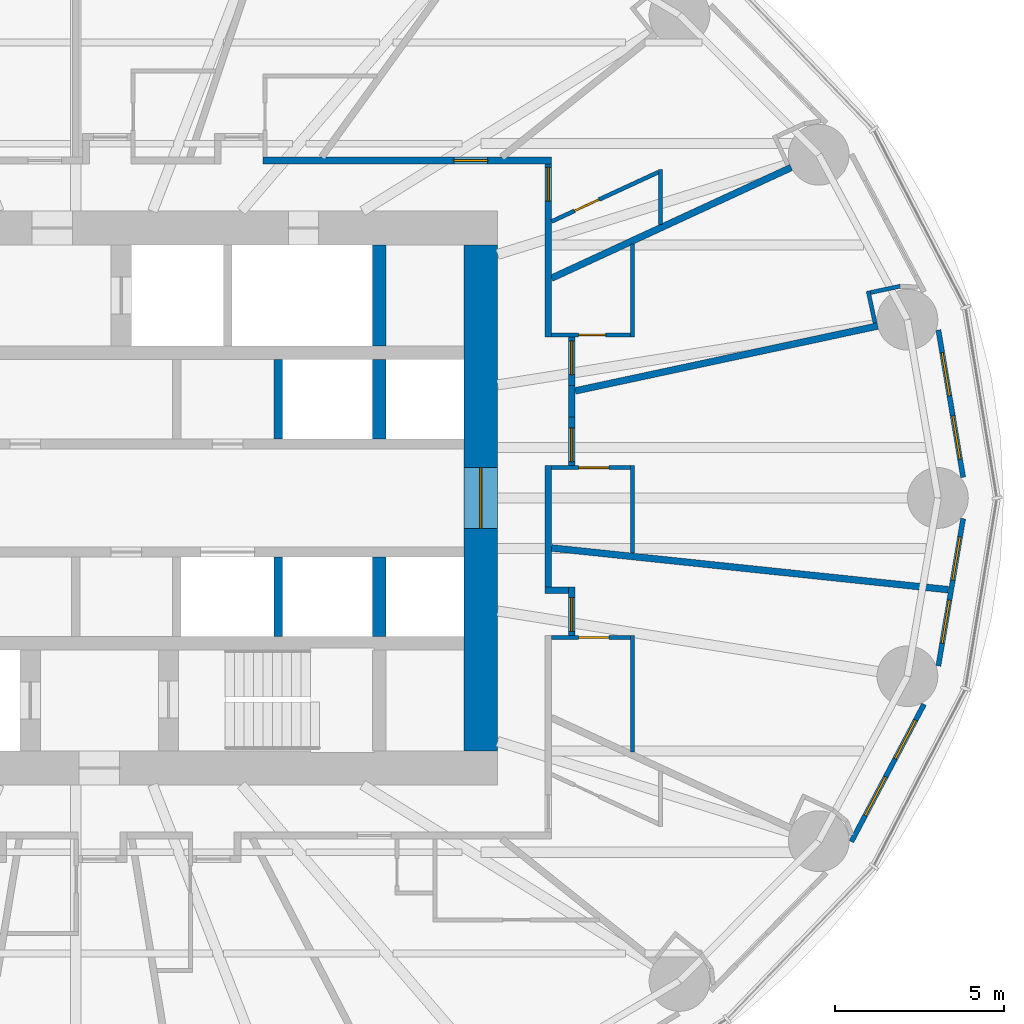
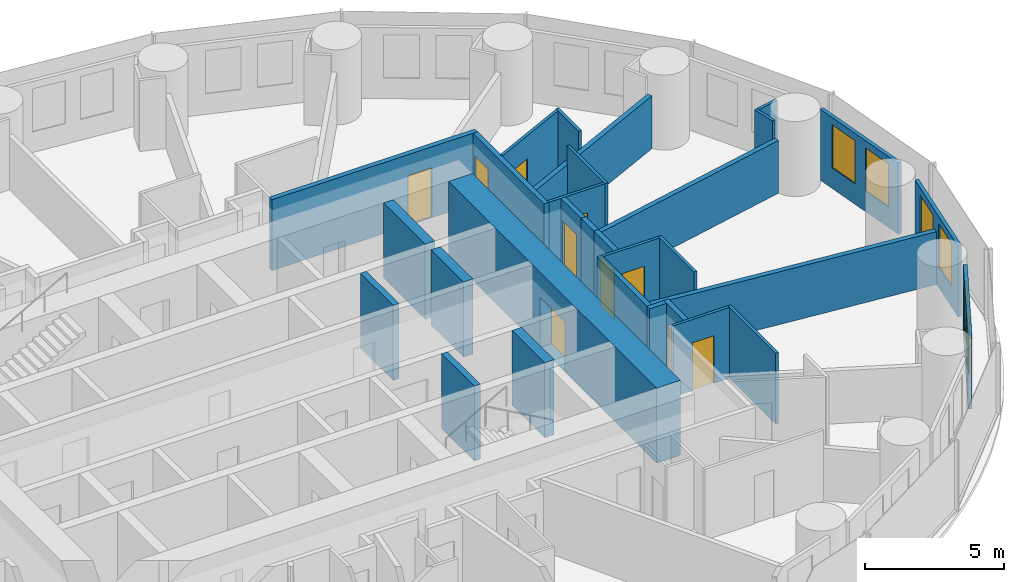
# One storey, part 10 of 14: 30 walls, 10 doors, 6 windows, 16 openings.
"""IFC4 building model written with IfcOpenShell, lengths in metres."""

from ifc_helpers import new_model, si_unit, direction, frame, frame_2d, origin, place, context, subcontext, project, spatial, rectangle, extrude, material, layer, layer_set, type_object, element, fill, save


model = new_model("IFC4")

# Units and contexts
model_context = context("Model", 3, precision=1e-05, world=origin(), true_north=direction((0.0, 1.0)))
body_context = subcontext(model_context, "Body", "Model", "MODEL_VIEW")
ifc_project = project(units=[si_unit("LENGTHUNIT", "METRE"), si_unit("AREAUNIT", "SQUARE_METRE"), si_unit("VOLUMEUNIT", "CUBIC_METRE"), si_unit("PLANEANGLEUNIT", "RADIAN"), si_unit("MASSUNIT", "GRAM", prefix="KILO")], contexts=[model_context])

# Site, building, storey
site_placement = place(None, origin())
site = spatial("IfcSite", under=ifc_project, at=site_placement, CompositionType="ELEMENT")
building_placement = place(site_placement, origin())
building = spatial("IfcBuilding", under=site, at=building_placement, Name="Hankou Lantern Tower", CompositionType="ELEMENT")
storey_placement = place(building_placement, frame((0.0, 0.0, 36.0)))
storey = spatial("IfcBuildingStorey", under=building, at=storey_placement, Name="L07", CompositionType="ELEMENT", Elevation=36.0)

# Wall, opening, door
ifc_material_1 = material(Name="Concrete C60", Category="concrete")
ifc_layer_1 = layer(ifc_material_1, 1.0)
ifc_layer_set_1 = layer_set([ifc_layer_1], Name="Concrete C60")
wall_type_1 = type_object("IfcWallType", Name="CW1 CORE WALL 1000", PredefinedType="SHEAR", material=ifc_layer_set_1)
wall_1_placement = place(storey_placement, frame((12.0, -7.5, 0.0), z_axis=(0.0, 0.0, 1.0), x_axis=(0.0, 1.0, 0.0)))
wall_1 = element("IfcWall", 1, at=wall_1_placement, inside=storey, type_object=wall_type_1, Name="Core wall east L07", PredefinedType="SHEAR", context=body_context, shape_type="SweptSolid", body=[
    extrude(rectangle(XDim=15.0, YDim=1.0, at=frame_2d((7.5, 0.0))), origin(), (0.0, 0.0, 1.0), 3.300048828125),
])
opening_1_placement = place(wall_1_placement, frame((6.60009765625, 0.0, 0.0)))
opening_1 = element("IfcOpeningElement", 2, at=opening_1_placement, cuts=wall_1, Name="Opening D6", PredefinedType="OPENING", context=body_context, shape_type="SweptSolid", body=[
    extrude(rectangle(XDim=1.800048828125, YDim=2.199951171875, at=frame_2d((0.89990234375, 1.10009765625))), frame((0.0, 0.510009765625, 0.0), z_axis=(0.0, -1.0, 0.0), x_axis=(1.0, 0.0, 0.0)), (0.0, 0.0, 1.0), 1.02001953125),
])
ifc_material_2 = material(Name="Steel door leaf", Category="steel")
door_type_1 = type_object("IfcDoorType", Name="D6 LIFT LOBBY DOOR 1800X2200", OperationType="DOUBLE_DOOR_DOUBLE_SWING", PredefinedType="DOOR", material=ifc_material_2)
door_1_placement = place(opening_1_placement, origin())
door_1 = element("IfcDoor", 3, at=door_1_placement, inside=storey, type_object=door_type_1, Name="Lift lobby east door", OperationType="DOUBLE_DOOR_DOUBLE_SWING", OverallHeight=2.199951171875, OverallWidth=1.800048828125, PredefinedType="DOOR", context=body_context, shape_type="SweptSolid", body=[
    extrude(rectangle(XDim=1.800048828125, YDim=2.199951171875, at=frame_2d((0.89990234375, 1.10009765625))), frame((0.0, 0.02490234375, 0.0), z_axis=(0.0, -1.0, 0.0), x_axis=(1.0, 0.0, 0.0)), (0.0, 0.0, 1.0), 0.050048828125),
])
fill(opening_1, door_1)

# Walls
ifc_material_3 = material(Name="Concrete C60", Category="concrete")
ifc_layer_2 = layer(ifc_material_3, 0.39990234375)
ifc_layer_set_2 = layer_set([ifc_layer_2], Name="Concrete C60")
wall_type_2 = type_object("IfcWallType", Name="CW4 CORE CROSS WALL 400", PredefinedType="SHEAR", material=ifc_layer_set_2)
wall_2_placement = place(storey_placement, frame((9.0, 4.5, 0.0), z_axis=(0.0, 0.0, 1.0), x_axis=(0.0, 1.0, 0.0)))
element("IfcWall", 4, at=wall_2_placement, inside=storey, type_object=wall_type_2, Name="Core strip wall L07", PredefinedType="SHEAR", context=body_context, shape_type="SweptSolid", body=[
    extrude(rectangle(XDim=3.0, YDim=0.39990234375, at=frame_2d((1.5, 0.0))), origin(), (0.0, 0.0, 1.0), 3.300048828125),
])
for number, where, z_axis, x_axis, name in (
    (5, (9.0, 1.75, 0.0), (0.0, 0.0, 1.0), (0.0, 1.0, 0.0), "Core strip wall L07"),
    (6, (9.0, -4.10009765625, 0.0), (0.0, 0.0, 1.0), (0.0, 1.0, 0.0), "Core strip wall L07"),
):
    element("IfcWall", number, at=place(storey_placement, frame(where, z_axis=z_axis, x_axis=x_axis)), inside=storey, type_object=wall_type_2, Name=name, PredefinedType="SHEAR", context=body_context, shape_type="SweptSolid", body=[
        extrude(rectangle(XDim=2.35009765625, YDim=0.39990234375, at=frame_2d((1.175048828125, 0.0))), origin(), (0.0, 0.0, 1.0), 3.300048828125),
    ])

# Wall, openings, windows
ifc_material_4 = material(Name="Aluminium spandrel panel on steel studs", Category="steel")
ifc_layer_3 = layer(ifc_material_4, 0.14990234375)
ifc_layer_set_3 = layer_set([ifc_layer_3], Name="Aluminium spandrel panel on steel studs")
wall_type_3 = type_object("IfcWallType", Name="EW1 INNER SKIN WALL 150", PredefinedType="ELEMENTEDWALL", material=ifc_layer_set_3)
wall_3_placement = place(storey_placement, frame((26.29736328125, 0.611083984375, 0.0), z_axis=(0.0, 0.0, 1.0), x_axis=(-0.165641751141, 0.986185991727, 0.0)))
wall_3 = element("IfcWall", 7, at=wall_3_placement, inside=storey, type_object=wall_type_3, Name="Inner skin R01-R02 L07", PredefinedType="ELEMENTEDWALL", context=body_context, shape_type="SweptSolid", body=[
    extrude(rectangle(XDim=4.427734375, YDim=0.14990234375, at=frame_2d((2.2138671875, 0.0))), origin(), (0.0, 0.0, 1.0), 3.1201171875),
])
opening_2_placement = place(wall_3_placement, frame((0.5498046875, 0.0, 0.89990234375)))
opening_2 = element("IfcOpeningElement", 8, at=opening_2_placement, cuts=wall_3, Name="Opening W9", PredefinedType="OPENING", context=body_context, shape_type="SweptSolid", body=[
    extrude(rectangle(XDim=1.300048828125, YDim=1.89990234375, at=frame_2d((0.64990234375, 0.949951171875))), frame((0.0, 0.0849609375, 0.0), z_axis=(0.0, -1.0, 0.0), x_axis=(1.0, 0.0, 0.0)), (0.0, 0.0, 1.0), 0.169921875),
])
opening_3_placement = place(wall_3_placement, frame((2.44970703125, 0.0, 0.89990234375)))
opening_3 = element("IfcOpeningElement", 9, at=opening_3_placement, cuts=wall_3, Name="Opening W9", PredefinedType="OPENING", context=body_context, shape_type="SweptSolid", body=[
    extrude(rectangle(XDim=1.300048828125, YDim=1.89990234375, at=frame_2d((0.64990234375, 0.949951171875))), frame((0.0, 0.0849609375, 0.0), z_axis=(0.0, -1.0, 0.0), x_axis=(1.0, 0.0, 0.0)), (0.0, 0.0, 1.0), 0.169921875),
])
ifc_material_5 = material(Name="Aluminium framed double glazed window", Category="aluminium")
window_type = type_object("IfcWindowType", Name="W9 GUEST ROOM WINDOW 1300X1900", PartitioningType="DOUBLE_PANEL_VERTICAL", PredefinedType="WINDOW", material=ifc_material_5)
window_1_placement = place(opening_2_placement, origin())
window_1 = element("IfcWindow", 10, at=window_1_placement, inside=storey, type_object=window_type, Name="Window R01.1 L07", OverallHeight=1.89990234375, OverallWidth=1.300048828125, PartitioningType="SINGLE_PANEL", PredefinedType="WINDOW", context=body_context, shape_type="SweptSolid", body=[
    extrude(rectangle(XDim=1.300048828125, YDim=1.89990234375, at=frame_2d((0.64990234375, 0.949951171875))), frame((0.0, 0.030029296875, 0.0), z_axis=(0.0, -1.0, 0.0), x_axis=(1.0, 0.0, 0.0)), (0.0, 0.0, 1.0), 0.06005859375),
])
fill(opening_2, window_1)
window_2_placement = place(opening_3_placement, origin())
window_2 = element("IfcWindow", 11, at=window_2_placement, inside=storey, type_object=window_type, Name="Window R01.2 L07", OverallHeight=1.89990234375, OverallWidth=1.300048828125, PartitioningType="SINGLE_PANEL", PredefinedType="WINDOW", context=body_context, shape_type="SweptSolid", body=[
    extrude(rectangle(XDim=1.300048828125, YDim=1.89990234375, at=frame_2d((0.64990234375, 0.949951171875))), frame((0.0, 0.030029296875, 0.0), z_axis=(0.0, -1.0, 0.0), x_axis=(1.0, 0.0, 0.0)), (0.0, 0.0, 1.0), 0.06005859375),
])
fill(opening_3, window_2)

wall_4_placement = place(storey_placement, frame((22.986083984375, -10.185302734375, 0.0), z_axis=(0.0, 0.0, 1.0), x_axis=(0.467303182954, 0.884097129959, 0.0)))
wall_4 = element("IfcWall", 12, at=wall_4_placement, inside=storey, type_object=wall_type_3, Name="Inner skin R23-R24 L07", PredefinedType="ELEMENTEDWALL", context=body_context, shape_type="SweptSolid", body=[
    extrude(rectangle(XDim=4.6064453125, YDim=0.14990234375, at=frame_2d((2.30322265625, 0.0))), origin(), (0.0, 0.0, 1.0), 3.1201171875),
])
opening_4_placement = place(wall_4_placement, frame((0.874755859375, 0.0, 0.89990234375)))
opening_4 = element("IfcOpeningElement", 13, at=opening_4_placement, cuts=wall_4, Name="Opening W9", PredefinedType="OPENING", context=body_context, shape_type="SweptSolid", body=[
    extrude(rectangle(XDim=1.300048828125, YDim=1.89990234375, at=frame_2d((0.64990234375, 0.949951171875))), frame((0.0, 0.0849609375, 0.0), z_axis=(0.0, -1.0, 0.0), x_axis=(1.0, 0.0, 0.0)), (0.0, 0.0, 1.0), 0.169921875),
])
opening_5_placement = place(wall_4_placement, frame((2.77490234375, 0.0, 0.89990234375)))
opening_5 = element("IfcOpeningElement", 14, at=opening_5_placement, cuts=wall_4, Name="Opening W9", PredefinedType="OPENING", context=body_context, shape_type="SweptSolid", body=[
    extrude(rectangle(XDim=1.300048828125, YDim=1.89990234375, at=frame_2d((0.64990234375, 0.949951171875))), frame((0.0, 0.0849609375, 0.0), z_axis=(0.0, -1.0, 0.0), x_axis=(1.0, 0.0, 0.0)), (0.0, 0.0, 1.0), 0.169921875),
])
window_3_placement = place(opening_4_placement, origin())
window_3 = element("IfcWindow", 15, at=window_3_placement, inside=storey, type_object=window_type, Name="Window R23.1 L07", OverallHeight=1.89990234375, OverallWidth=1.300048828125, PartitioningType="SINGLE_PANEL", PredefinedType="WINDOW", context=body_context, shape_type="SweptSolid", body=[
    extrude(rectangle(XDim=1.300048828125, YDim=1.89990234375, at=frame_2d((0.64990234375, 0.949951171875))), frame((0.0, 0.030029296875, 0.0), z_axis=(0.0, -1.0, 0.0), x_axis=(1.0, 0.0, 0.0)), (0.0, 0.0, 1.0), 0.06005859375),
])
fill(opening_4, window_3)
window_4_placement = place(opening_5_placement, origin())
window_4 = element("IfcWindow", 16, at=window_4_placement, inside=storey, type_object=window_type, Name="Window R23.2 L07", OverallHeight=1.89990234375, OverallWidth=1.300048828125, PartitioningType="SINGLE_PANEL", PredefinedType="WINDOW", context=body_context, shape_type="SweptSolid", body=[
    extrude(rectangle(XDim=1.300048828125, YDim=1.89990234375, at=frame_2d((0.64990234375, 0.949951171875))), frame((0.0, 0.030029296875, 0.0), z_axis=(0.0, -1.0, 0.0), x_axis=(1.0, 0.0, 0.0)), (0.0, 0.0, 1.0), 0.06005859375),
])
fill(opening_5, window_4)

wall_5_placement = place(storey_placement, frame((25.56396484375, -4.9775390625, 0.0), z_axis=(0.0, 0.0, 1.0), x_axis=(0.165641751141, 0.986185991727, 0.0)))
wall_5 = element("IfcWall", 17, at=wall_5_placement, inside=storey, type_object=wall_type_3, Name="Inner skin R24-R01 L07", PredefinedType="ELEMENTEDWALL", context=body_context, shape_type="SweptSolid", body=[
    extrude(rectangle(XDim=4.427734375, YDim=0.14990234375, at=frame_2d((2.2138671875, 0.0))), origin(), (0.0, 0.0, 1.0), 3.1201171875),
])
opening_6_placement = place(wall_5_placement, frame((0.677734375, 0.0, 0.89990234375)))
opening_6 = element("IfcOpeningElement", 18, at=opening_6_placement, cuts=wall_5, Name="Opening W9", PredefinedType="OPENING", context=body_context, shape_type="SweptSolid", body=[
    extrude(rectangle(XDim=1.300048828125, YDim=1.89990234375, at=frame_2d((0.64990234375, 0.949951171875))), frame((0.0, 0.0849609375, 0.0), z_axis=(0.0, -1.0, 0.0), x_axis=(1.0, 0.0, 0.0)), (0.0, 0.0, 1.0), 0.169921875),
])
opening_7_placement = place(wall_5_placement, frame((2.57763671875, 0.0, 0.89990234375)))
opening_7 = element("IfcOpeningElement", 19, at=opening_7_placement, cuts=wall_5, Name="Opening W9", PredefinedType="OPENING", context=body_context, shape_type="SweptSolid", body=[
    extrude(rectangle(XDim=1.300048828125, YDim=1.89990234375, at=frame_2d((0.64990234375, 0.949951171875))), frame((0.0, 0.0849609375, 0.0), z_axis=(0.0, -1.0, 0.0), x_axis=(1.0, 0.0, 0.0)), (0.0, 0.0, 1.0), 0.169921875),
])
window_5_placement = place(opening_6_placement, origin())
window_5 = element("IfcWindow", 20, at=window_5_placement, inside=storey, type_object=window_type, Name="Window R24.1 L07", OverallHeight=1.89990234375, OverallWidth=1.300048828125, PartitioningType="SINGLE_PANEL", PredefinedType="WINDOW", context=body_context, shape_type="SweptSolid", body=[
    extrude(rectangle(XDim=1.300048828125, YDim=1.89990234375, at=frame_2d((0.64990234375, 0.949951171875))), frame((0.0, 0.030029296875, 0.0), z_axis=(0.0, -1.0, 0.0), x_axis=(1.0, 0.0, 0.0)), (0.0, 0.0, 1.0), 0.06005859375),
])
fill(opening_6, window_5)
window_6_placement = place(opening_7_placement, origin())
window_6 = element("IfcWindow", 21, at=window_6_placement, inside=storey, type_object=window_type, Name="Window R24.2 L07", OverallHeight=1.89990234375, OverallWidth=1.300048828125, PartitioningType="SINGLE_PANEL", PredefinedType="WINDOW", context=body_context, shape_type="SweptSolid", body=[
    extrude(rectangle(XDim=1.300048828125, YDim=1.89990234375, at=frame_2d((0.64990234375, 0.949951171875))), frame((0.0, 0.030029296875, 0.0), z_axis=(0.0, -1.0, 0.0), x_axis=(1.0, 0.0, 0.0)), (0.0, 0.0, 1.0), 0.06005859375),
])
fill(opening_7, window_6)

# Walls
ifc_material_6 = material(Name="Masonry lightweight concrete block", Category="masonry")
ifc_layer_4 = layer(ifc_material_6, 0.199951171875)
ifc_layer_set_4 = layer_set([ifc_layer_4], Name="Masonry lightweight concrete block")
wall_type_4 = type_object("IfcWallType", Name="IW1 GUEST ROOM PARTY WALL 200", PredefinedType="PARTITIONING", material=ifc_layer_set_4)
wall_6_placement = place(storey_placement, frame((14.800048828125, 3.172607421875, 0.0), z_axis=(0.0, 0.0, 1.0), x_axis=(0.977788776497, 0.209592720667, 0.0)))
element("IfcWall", 22, at=wall_6_placement, inside=storey, type_object=wall_type_4, Name="Party wall R02", PredefinedType="PARTITIONING", context=body_context, shape_type="SweptSolid", body=[
    extrude(rectangle(XDim=9.170654296875, YDim=0.199951171875, at=frame_2d((4.58544921875, 0.0))), origin(), (0.0, 0.0, 1.0), 2.320068359375),
])
wall_7_placement = place(storey_placement, frame((14.10009765625, 6.512451171875, 0.0), z_axis=(0.0, 0.0, 1.0), x_axis=(0.907842433118, 0.41931147925, 0.0)))
element("IfcWall", 23, at=wall_7_placement, inside=storey, type_object=wall_type_4, Name="Party wall R03", PredefinedType="PARTITIONING", context=body_context, shape_type="SweptSolid", body=[
    extrude(rectangle(XDim=7.822998046875, YDim=0.199951171875, at=frame_2d((3.91162109375, 0.0))), origin(), (0.0, 0.0, 1.0), 2.320068359375),
])
wall_8_placement = place(storey_placement, frame((14.10009765625, -1.48193359375, 0.0), z_axis=(0.0, 0.0, 1.0), x_axis=(0.994522076235, -0.104526742422, 0.0)))
element("IfcWall", 24, at=wall_8_placement, inside=storey, type_object=wall_type_4, Name="Party wall R24-R01", PredefinedType="PARTITIONING", context=body_context, shape_type="SweptSolid", body=[
    extrude(rectangle(XDim=11.82080078125, YDim=0.199951171875, at=frame_2d((5.910400390625, 0.0))), origin(), (0.0, 0.0, 1.0), 2.320068359375),
])

# Wall, opening, door
ifc_material_7 = material(Name="Masonry lightweight concrete block", Category="masonry")
ifc_layer_5 = layer(ifc_material_7, 0.199951171875)
ifc_layer_set_5 = layer_set([ifc_layer_5], Name="Masonry lightweight concrete block")
wall_type_5 = type_object("IfcWallType", Name="IW2 CORRIDOR WALL 200", PredefinedType="PARTITIONING", material=ifc_layer_set_5)
wall_9_placement = place(storey_placement, frame((14.699951171875, -4.072509765625, 0.0), z_axis=(0.0, 0.0, 1.0), x_axis=(0.0, 1.0, 0.0)))
wall_9 = element("IfcWall", 25, at=wall_9_placement, inside=storey, type_object=wall_type_5, Name="Corridor recess wall 0702 back", PredefinedType="PARTITIONING", context=body_context, shape_type="SweptSolid", body=[
    extrude(rectangle(XDim=1.43994140625, YDim=0.199951171875, at=frame_2d((0.719970703125, 0.0))), origin(), (0.0, 0.0, 1.0), 3.1201171875),
])
opening_8_placement = place(wall_9_placement, frame((0.1201171875, 0.0, 0.0)))
opening_8 = element("IfcOpeningElement", 26, at=opening_8_placement, cuts=wall_9, Name="Opening D1", PredefinedType="OPENING", context=body_context, shape_type="SweptSolid", body=[
    extrude(rectangle(XDim=1.0, YDim=2.199951171875, at=frame_2d((0.5, 1.10009765625))), frame((0.0, 0.10986328125, 0.0), z_axis=(0.0, -1.0, 0.0), x_axis=(1.0, 0.0, 0.0)), (0.0, 0.0, 1.0), 0.219970703125),
])
ifc_material_8 = material(Name="Steel door leaf", Category="steel")
door_type_2 = type_object("IfcDoorType", Name="D1 GUEST ROOM DOOR 1000X2200", OperationType="SINGLE_SWING_LEFT", PredefinedType="DOOR", material=ifc_material_8)
door_2_placement = place(opening_8_placement, origin())
door_2 = element("IfcDoor", 27, at=door_2_placement, inside=storey, type_object=door_type_2, Name="Guest room door 0702", OperationType="SINGLE_SWING_LEFT", OverallHeight=2.199951171875, OverallWidth=1.0, PredefinedType="DOOR", context=body_context, shape_type="SweptSolid", body=[
    extrude(rectangle(XDim=1.0, YDim=2.199951171875, at=frame_2d((0.5, 1.10009765625))), frame((0.0, 0.02490234375, 0.0), z_axis=(0.0, -1.0, 0.0), x_axis=(1.0, 0.0, 0.0)), (0.0, 0.0, 1.0), 0.050048828125),
])
fill(opening_8, door_2)

# Wall
wall_10_placement = place(storey_placement, frame((13.89990234375, -2.732421875, 0.0), z_axis=(0.0, 0.0, 1.0), x_axis=(1.0, 0.0, 0.0)))
element("IfcWall", 28, at=wall_10_placement, inside=storey, type_object=wall_type_5, Name="Corridor recess wall 0702 side", PredefinedType="PARTITIONING", context=body_context, shape_type="SweptSolid", body=[
    extrude(rectangle(XDim=0.7001953125, YDim=0.199951171875, at=frame_2d((0.35009765625, 0.0))), origin(), (0.0, 0.0, 1.0), 3.1201171875),
])

# Wall, opening, door
wall_11_placement = place(storey_placement, frame((14.699951171875, 0.9580078125, 0.0), z_axis=(0.0, 0.0, 1.0), x_axis=(0.0, 1.0, 0.0)))
wall_11 = element("IfcWall", 29, at=wall_11_placement, inside=storey, type_object=wall_type_5, Name="Corridor recess wall 0703 back", PredefinedType="PARTITIONING", context=body_context, shape_type="SweptSolid", body=[
    extrude(rectangle(XDim=1.43994140625, YDim=0.199951171875, at=frame_2d((0.719970703125, 0.0))), origin(), (0.0, 0.0, 1.0), 3.1201171875),
])
opening_9_placement = place(wall_11_placement, frame((0.1201171875, 0.0, 0.0)))
opening_9 = element("IfcOpeningElement", 30, at=opening_9_placement, cuts=wall_11, Name="Opening D1", PredefinedType="OPENING", context=body_context, shape_type="SweptSolid", body=[
    extrude(rectangle(XDim=1.0, YDim=2.199951171875, at=frame_2d((0.5, 1.10009765625))), frame((0.0, 0.10986328125, 0.0), z_axis=(0.0, -1.0, 0.0), x_axis=(1.0, 0.0, 0.0)), (0.0, 0.0, 1.0), 0.219970703125),
])
door_3_placement = place(opening_9_placement, origin())
door_3 = element("IfcDoor", 31, at=door_3_placement, inside=storey, type_object=door_type_2, Name="Guest room door 0703", OperationType="SINGLE_SWING_LEFT", OverallHeight=2.199951171875, OverallWidth=1.0, PredefinedType="DOOR", context=body_context, shape_type="SweptSolid", body=[
    extrude(rectangle(XDim=1.0, YDim=2.199951171875, at=frame_2d((0.5, 1.10009765625))), frame((0.0, 0.02490234375, 0.0), z_axis=(0.0, -1.0, 0.0), x_axis=(1.0, 0.0, 0.0)), (0.0, 0.0, 1.0), 0.050048828125),
])
fill(opening_9, door_3)

wall_12_placement = place(storey_placement, frame((14.699951171875, 3.33251953125, 0.0), z_axis=(0.0, 0.0, 1.0), x_axis=(0.0, 1.0, 0.0)))
wall_12 = element("IfcWall", 32, at=wall_12_placement, inside=storey, type_object=wall_type_5, Name="Corridor recess wall 0704 back", PredefinedType="PARTITIONING", context=body_context, shape_type="SweptSolid", body=[
    extrude(rectangle(XDim=1.43994140625, YDim=0.199951171875, at=frame_2d((0.719970703125, 0.0))), origin(), (0.0, 0.0, 1.0), 3.1201171875),
])
opening_10_placement = place(wall_12_placement, frame((0.320068359375, 0.0, 0.0)))
opening_10 = element("IfcOpeningElement", 33, at=opening_10_placement, cuts=wall_12, Name="Opening D1", PredefinedType="OPENING", context=body_context, shape_type="SweptSolid", body=[
    extrude(rectangle(XDim=1.0, YDim=2.199951171875, at=frame_2d((0.5, 1.10009765625))), frame((0.0, 0.10986328125, 0.0), z_axis=(0.0, -1.0, 0.0), x_axis=(1.0, 0.0, 0.0)), (0.0, 0.0, 1.0), 0.219970703125),
])
door_4_placement = place(opening_10_placement, origin())
door_4 = element("IfcDoor", 34, at=door_4_placement, inside=storey, type_object=door_type_2, Name="Guest room door 0704", OperationType="SINGLE_SWING_RIGHT", OverallHeight=2.199951171875, OverallWidth=1.0, PredefinedType="DOOR", context=body_context, shape_type="SweptSolid", body=[
    extrude(rectangle(XDim=1.0, YDim=2.199951171875, at=frame_2d((0.5, 1.10009765625))), frame((0.0, 0.02490234375, 0.0), z_axis=(0.0, -1.0, 0.0), x_axis=(1.0, 0.0, 0.0)), (0.0, 0.0, 1.0), 0.050048828125),
])
fill(opening_10, door_4)

# Walls
wall_13_placement = place(storey_placement, frame((14.699951171875, 2.39794921875, 0.0), z_axis=(0.0, 0.0, 1.0), x_axis=(0.0, 1.0, 0.0)))
element("IfcWall", 35, at=wall_13_placement, inside=storey, type_object=wall_type_5, Name="Corridor recess wall 0703 and 0704 back", PredefinedType="PARTITIONING", context=body_context, shape_type="SweptSolid", body=[
    extrude(rectangle(XDim=0.9345703125, YDim=0.199951171875, at=frame_2d((0.46728515625, 0.0))), origin(), (0.0, 0.0, 1.0), 3.1201171875),
])
wall_14_placement = place(storey_placement, frame((14.0, -2.632568359375, 0.0), z_axis=(0.0, 0.0, 1.0), x_axis=(0.0, 1.0, 0.0)))
element("IfcWall", 36, at=wall_14_placement, inside=storey, type_object=wall_type_5, Name="Corridor wall east", PredefinedType="PARTITIONING", context=body_context, shape_type="SweptSolid", body=[
    extrude(rectangle(XDim=3.590576171875, YDim=0.199951171875, at=frame_2d((1.79541015625, 0.0))), origin(), (0.0, 0.0, 1.0), 3.1201171875),
])

# Wall, opening, door
wall_15_placement = place(storey_placement, frame((14.0, 4.7724609375, 0.0), z_axis=(0.0, 0.0, 1.0), x_axis=(0.0, 1.0, 0.0)))
wall_15 = element("IfcWall", 37, at=wall_15_placement, inside=storey, type_object=wall_type_5, Name="Corridor wall east", PredefinedType="PARTITIONING", context=body_context, shape_type="SweptSolid", body=[
    extrude(rectangle(XDim=5.12744140625, YDim=0.199951171875, at=frame_2d((2.563720703125, 0.0))), origin(), (0.0, 0.0, 1.0), 3.1201171875),
])
opening_11_placement = place(wall_15_placement, frame((4.02490234375, 0.0, 0.0)))
opening_11 = element("IfcOpeningElement", 38, at=opening_11_placement, cuts=wall_15, Name="Opening D1", PredefinedType="OPENING", context=body_context, shape_type="SweptSolid", body=[
    extrude(rectangle(XDim=1.0, YDim=2.199951171875, at=frame_2d((0.5, 1.10009765625))), frame((0.0, 0.10986328125, 0.0), z_axis=(0.0, -1.0, 0.0), x_axis=(1.0, 0.0, 0.0)), (0.0, 0.0, 1.0), 0.219970703125),
])
door_5_placement = place(opening_11_placement, origin())
door_5 = element("IfcDoor", 39, at=door_5_placement, inside=storey, type_object=door_type_2, Name="Guest room door 0705", OperationType="SINGLE_SWING_RIGHT", OverallHeight=2.199951171875, OverallWidth=1.0, PredefinedType="DOOR", context=body_context, shape_type="SweptSolid", body=[
    extrude(rectangle(XDim=1.0, YDim=2.199951171875, at=frame_2d((0.5, 1.10009765625))), frame((0.0, 0.02490234375, 0.0), z_axis=(0.0, -1.0, 0.0), x_axis=(1.0, 0.0, 0.0)), (0.0, 0.0, 1.0), 0.050048828125),
])
fill(opening_11, door_5)

wall_16_placement = place(storey_placement, frame((5.549072265625, 10.0, 0.0), z_axis=(0.0, 0.0, 1.0), x_axis=(1.0, 0.0, 0.0)))
wall_16 = element("IfcWall", 40, at=wall_16_placement, inside=storey, type_object=wall_type_5, Name="Corridor wall north", PredefinedType="PARTITIONING", context=body_context, shape_type="SweptSolid", body=[
    extrude(rectangle(XDim=8.551025390625, YDim=0.199951171875, at=frame_2d((4.275390625, 0.0))), origin(), (0.0, 0.0, 1.0), 3.1201171875),
])
opening_12_placement = place(wall_16_placement, frame((5.656005859375, 0.0, 0.0)))
opening_12 = element("IfcOpeningElement", 41, at=opening_12_placement, cuts=wall_16, Name="Opening D28", PredefinedType="OPENING", context=body_context, shape_type="SweptSolid", body=[
    extrude(rectangle(XDim=1.0, YDim=2.199951171875, at=frame_2d((0.5, 1.10009765625))), frame((0.0, 0.10986328125, 0.0), z_axis=(0.0, -1.0, 0.0), x_axis=(1.0, 0.0, 0.0)), (0.0, 0.0, 1.0), 0.219970703125),
])
ifc_material_9 = material(Name="Steel door leaf", Category="steel")
door_type_3 = type_object("IfcDoorType", Name="D28 SERVICE DOOR 1000X2200", OperationType="SINGLE_SWING_LEFT", PredefinedType="DOOR", material=ifc_material_9)
door_6_placement = place(opening_12_placement, origin())
door_6 = element("IfcDoor", 42, at=door_6_placement, inside=storey, type_object=door_type_3, Name="Service door 0706", OperationType="SINGLE_SWING_LEFT", OverallHeight=2.199951171875, OverallWidth=1.0, PredefinedType="DOOR", context=body_context, shape_type="SweptSolid", body=[
    extrude(rectangle(XDim=1.0, YDim=2.199951171875, at=frame_2d((0.5, 1.10009765625))), frame((0.0, 0.02490234375, 0.0), z_axis=(0.0, -1.0, 0.0), x_axis=(1.0, 0.0, 0.0)), (0.0, 0.0, 1.0), 0.050048828125),
])
fill(opening_12, door_6)

# Wall
ifc_material_10 = material(Name="Masonry lightweight concrete block", Category="masonry")
ifc_layer_6 = layer(ifc_material_10, 0.1201171875)
ifc_layer_set_6 = layer_set([ifc_layer_6], Name="Masonry lightweight concrete block")
wall_type_6 = type_object("IfcWallType", Name="IW3 BATHROOM WALL 120", PredefinedType="PARTITIONING", material=ifc_layer_set_6)
wall_17_placement = place(storey_placement, frame((16.5, -7.52099609375, 0.0), z_axis=(0.0, 0.0, 1.0), x_axis=(0.0, 1.0, 0.0)))
element("IfcWall", 43, at=wall_17_placement, inside=storey, type_object=wall_type_6, Name="Box wall 0702 1", PredefinedType="PARTITIONING", context=body_context, shape_type="SweptSolid", body=[
    extrude(rectangle(XDim=3.448486328125, YDim=0.1201171875, at=frame_2d((1.72412109375, 0.0))), origin(), (0.0, 0.0, 1.0), 3.1201171875),
])

# Wall, opening, door
wall_18_placement = place(storey_placement, frame((14.10009765625, -4.132568359375, 0.0), z_axis=(0.0, 0.0, 1.0), x_axis=(1.0, 0.0, 0.0)))
wall_18 = element("IfcWall", 44, at=wall_18_placement, inside=storey, type_object=wall_type_6, Name="Box wall 0702 1", PredefinedType="PARTITIONING", context=body_context, shape_type="SweptSolid", body=[
    extrude(rectangle(XDim=2.33984375, YDim=0.1201171875, at=frame_2d((1.169921875, 0.0))), origin(), (0.0, 0.0, 1.0), 3.1201171875),
])
opening_13_placement = place(wall_18_placement, frame((0.800048828125, 0.0, 0.0)))
opening_13 = element("IfcOpeningElement", 45, at=opening_13_placement, cuts=wall_18, Name="Opening D26", PredefinedType="OPENING", context=body_context, shape_type="SweptSolid", body=[
    extrude(rectangle(XDim=0.89990234375, YDim=2.10009765625, at=frame_2d((0.449951171875, 1.050048828125))), frame((0.0, 0.070068359375, 0.0), z_axis=(0.0, -1.0, 0.0), x_axis=(1.0, 0.0, 0.0)), (0.0, 0.0, 1.0), 0.14013671875),
])
ifc_material_11 = material(Name="Timber door leaf", Category="wood")
door_type_4 = type_object("IfcDoorType", Name="D26 ACCESSIBLE BATHROOM DOOR 900X2100", OperationType="SLIDING_TO_LEFT", PredefinedType="DOOR", material=ifc_material_11)
door_7_placement = place(opening_13_placement, origin())
door_7 = element("IfcDoor", 46, at=door_7_placement, inside=storey, type_object=door_type_4, Name="Accessible bathroom 0702 door", OperationType="SLIDING_TO_LEFT", OverallHeight=2.10009765625, OverallWidth=0.89990234375, PredefinedType="DOOR", context=body_context, shape_type="SweptSolid", body=[
    extrude(rectangle(XDim=0.89990234375, YDim=2.10009765625, at=frame_2d((0.449951171875, 1.050048828125))), frame((0.0, 0.02490234375, 0.0), z_axis=(0.0, -1.0, 0.0), x_axis=(1.0, 0.0, 0.0)), (0.0, 0.0, 1.0), 0.050048828125),
])
fill(opening_13, door_7)

# Wall
wall_19_placement = place(storey_placement, frame((16.5, -1.63427734375, 0.0), z_axis=(0.0, 0.0, 1.0), x_axis=(0.0, 1.0, 0.0)))
element("IfcWall", 47, at=wall_19_placement, inside=storey, type_object=wall_type_6, Name="Box wall 0703 1", PredefinedType="PARTITIONING", context=body_context, shape_type="SweptSolid", body=[
    extrude(rectangle(XDim=2.59228515625, YDim=0.1201171875, at=frame_2d((1.296142578125, 0.0))), origin(), (0.0, 0.0, 1.0), 3.1201171875),
])

# Wall, opening, door
wall_20_placement = place(storey_placement, frame((14.10009765625, 0.89794921875, 0.0), z_axis=(0.0, 0.0, 1.0), x_axis=(1.0, 0.0, 0.0)))
wall_20 = element("IfcWall", 48, at=wall_20_placement, inside=storey, type_object=wall_type_6, Name="Box wall 0703 1", PredefinedType="PARTITIONING", context=body_context, shape_type="SweptSolid", body=[
    extrude(rectangle(XDim=2.33984375, YDim=0.1201171875, at=frame_2d((1.169921875, 0.0))), origin(), (0.0, 0.0, 1.0), 3.1201171875),
])
opening_14_placement = place(wall_20_placement, frame((0.800048828125, 0.0, 0.0)))
opening_14 = element("IfcOpeningElement", 49, at=opening_14_placement, cuts=wall_20, Name="Opening D26", PredefinedType="OPENING", context=body_context, shape_type="SweptSolid", body=[
    extrude(rectangle(XDim=0.89990234375, YDim=2.10009765625, at=frame_2d((0.449951171875, 1.050048828125))), frame((0.0, 0.070068359375, 0.0), z_axis=(0.0, -1.0, 0.0), x_axis=(1.0, 0.0, 0.0)), (0.0, 0.0, 1.0), 0.14013671875),
])
door_8_placement = place(opening_14_placement, origin())
door_8 = element("IfcDoor", 50, at=door_8_placement, inside=storey, type_object=door_type_4, Name="Accessible bathroom 0703 door", OperationType="SLIDING_TO_LEFT", OverallHeight=2.10009765625, OverallWidth=0.89990234375, PredefinedType="DOOR", context=body_context, shape_type="SweptSolid", body=[
    extrude(rectangle(XDim=0.89990234375, YDim=2.10009765625, at=frame_2d((0.449951171875, 1.050048828125))), frame((0.0, 0.02490234375, 0.0), z_axis=(0.0, -1.0, 0.0), x_axis=(1.0, 0.0, 0.0)), (0.0, 0.0, 1.0), 0.050048828125),
])
fill(opening_14, door_8)

# Wall
wall_21_placement = place(storey_placement, frame((16.5, 7.52099609375, 0.0), z_axis=(0.0, 0.0, 1.0), x_axis=(0.0, -1.0, 0.0)))
element("IfcWall", 51, at=wall_21_placement, inside=storey, type_object=wall_type_6, Name="Box wall 0704 1", PredefinedType="PARTITIONING", context=body_context, shape_type="SweptSolid", body=[
    extrude(rectangle(XDim=2.74853515625, YDim=0.1201171875, at=frame_2d((1.374267578125, 0.0))), origin(), (0.0, 0.0, 1.0), 3.1201171875),
])

# Wall, opening, door
wall_22_placement = place(storey_placement, frame((14.10009765625, 4.83251953125, 0.0), z_axis=(0.0, 0.0, 1.0), x_axis=(1.0, 0.0, 0.0)))
wall_22 = element("IfcWall", 52, at=wall_22_placement, inside=storey, type_object=wall_type_6, Name="Box wall 0704 1", PredefinedType="PARTITIONING", context=body_context, shape_type="SweptSolid", body=[
    extrude(rectangle(XDim=2.33984375, YDim=0.1201171875, at=frame_2d((1.169921875, 0.0))), origin(), (0.0, 0.0, 1.0), 3.1201171875),
])
opening_15_placement = place(wall_22_placement, frame((0.800048828125, 0.0, 0.0)))
opening_15 = element("IfcOpeningElement", 53, at=opening_15_placement, cuts=wall_22, Name="Opening D3", PredefinedType="OPENING", context=body_context, shape_type="SweptSolid", body=[
    extrude(rectangle(XDim=0.800048828125, YDim=2.10009765625, at=frame_2d((0.39990234375, 1.050048828125))), frame((0.0, 0.070068359375, 0.0), z_axis=(0.0, -1.0, 0.0), x_axis=(1.0, 0.0, 0.0)), (0.0, 0.0, 1.0), 0.14013671875),
])
ifc_material_12 = material(Name="Timber door leaf", Category="wood")
door_type_5 = type_object("IfcDoorType", Name="D3 BATHROOM DOOR 800X2100", OperationType="SINGLE_SWING_LEFT", PredefinedType="DOOR", material=ifc_material_12)
door_9_placement = place(opening_15_placement, origin())
door_9 = element("IfcDoor", 54, at=door_9_placement, inside=storey, type_object=door_type_5, Name="En-suite bathroom 0704 door", OperationType="SINGLE_SWING_RIGHT", OverallHeight=2.10009765625, OverallWidth=0.800048828125, PredefinedType="DOOR", context=body_context, shape_type="SweptSolid", body=[
    extrude(rectangle(XDim=0.800048828125, YDim=2.10009765625, at=frame_2d((0.39990234375, 1.050048828125))), frame((0.0, 0.02490234375, 0.0), z_axis=(0.0, -1.0, 0.0), x_axis=(1.0, 0.0, 0.0)), (0.0, 0.0, 1.0), 0.050048828125),
])
fill(opening_15, door_9)

# Wall
wall_23_placement = place(storey_placement, frame((17.32275390625, 8.10107421875, 0.0), z_axis=(0.0, 0.0, 1.0), x_axis=(0.0, 1.0, 0.0)))
element("IfcWall", 55, at=wall_23_placement, inside=storey, type_object=wall_type_6, Name="Box wall 0705 1", PredefinedType="PARTITIONING", context=body_context, shape_type="SweptSolid", body=[
    extrude(rectangle(XDim=1.639892578125, YDim=0.1201171875, at=frame_2d((0.81982421875, 0.0))), origin(), (0.0, 0.0, 1.0), 3.1201171875),
])

# Wall, opening, door
wall_24_placement = place(storey_placement, frame((14.10009765625, 8.192626953125, 0.0), z_axis=(0.0, 0.0, 1.0), x_axis=(0.907836493557, 0.419324338628, 0.0)))
wall_24 = element("IfcWall", 56, at=wall_24_placement, inside=storey, type_object=wall_type_6, Name="Box wall 0705 1", PredefinedType="PARTITIONING", context=body_context, shape_type="SweptSolid", body=[
    extrude(rectangle(XDim=3.48974609375, YDim=0.1201171875, at=frame_2d((1.744873046875, 0.0))), origin(), (0.0, 0.0, 1.0), 3.1201171875),
])
opening_16_placement = place(wall_24_placement, frame((0.75, 0.0, 0.0)))
opening_16 = element("IfcOpeningElement", 57, at=opening_16_placement, cuts=wall_24, Name="Opening D3", PredefinedType="OPENING", context=body_context, shape_type="SweptSolid", body=[
    extrude(rectangle(XDim=0.800048828125, YDim=2.10009765625, at=frame_2d((0.39990234375, 1.050048828125))), frame((0.0, 0.070068359375, 0.0), z_axis=(0.0, -1.0, 0.0), x_axis=(1.0, 0.0, 0.0)), (0.0, 0.0, 1.0), 0.14013671875),
])
door_10_placement = place(opening_16_placement, origin())
door_10 = element("IfcDoor", 58, at=door_10_placement, inside=storey, type_object=door_type_5, Name="En-suite bathroom 0705 door", OperationType="SINGLE_SWING_LEFT", OverallHeight=2.10009765625, OverallWidth=0.800048828125, PredefinedType="DOOR", context=body_context, shape_type="SweptSolid", body=[
    extrude(rectangle(XDim=0.800048828125, YDim=2.10009765625, at=frame_2d((0.39990234375, 1.050048828125))), frame((0.0, 0.02490234375, 0.0), z_axis=(0.0, -1.0, 0.0), x_axis=(1.0, 0.0, 0.0)), (0.0, 0.0, 1.0), 0.050048828125),
])
fill(opening_16, door_10)

# Walls
ifc_material_13 = material(Name="Masonry lightweight concrete block", Category="masonry")
ifc_layer_7 = layer(ifc_material_13, 0.1201171875)
ifc_layer_set_7 = layer_set([ifc_layer_7], Name="Masonry lightweight concrete block")
wall_type_7 = type_object("IfcWallType", Name="IW4 PARTITION 120", PredefinedType="PARTITIONING", material=ifc_layer_set_7)
wall_25_placement = place(storey_placement, frame((23.687255859375, 5.179931640625, 0.0), z_axis=(0.0, 0.0, 1.0), x_axis=(-0.209443540911, 0.977820741839, 0.0)))
element("IfcWall", 59, at=wall_25_placement, inside=storey, type_object=wall_type_7, Name="Column casing R02 return", PredefinedType="PARTITIONING", context=body_context, shape_type="SweptSolid", body=[
    extrude(rectangle(XDim=0.974609375, YDim=0.1201171875, at=frame_2d((0.4873046875, 0.0))), origin(), (0.0, 0.0, 1.0), 3.1201171875),
])
wall_26_placement = place(storey_placement, frame((23.554443359375, 6.086669921875, 0.0), z_axis=(0.0, 0.0, 1.0), x_axis=(0.977762694187, 0.209714362543, 0.0)))
element("IfcWall", 60, at=wall_26_placement, inside=storey, type_object=wall_type_7, Name="Column casing R02", PredefinedType="PARTITIONING", context=body_context, shape_type="SweptSolid", body=[
    extrude(rectangle(XDim=0.89990234375, YDim=0.1201171875, at=frame_2d((0.449951171875, 0.0))), origin(), (0.0, 0.0, 1.0), 3.1201171875),
])
ifc_material_14 = material(Name="Masonry autoclaved aerated concrete block", Category="masonry")
ifc_layer_8 = layer(ifc_material_14, 0.25)
ifc_layer_set_8 = layer_set([ifc_layer_8], Name="Masonry autoclaved aerated concrete block")
wall_type_8 = type_object("IfcWallType", Name="SW1 SHAFT BLOCK WALL 250", PredefinedType="PARTITIONING", material=ifc_layer_set_8)
for number, where, z_axis, x_axis, name in (
    (61, (6.0, 1.75, 0.0), (0.0, 0.0, 1.0), (0.0, 1.0, 0.0), "Lift shaft wall L07"),
    (62, (6.0, -4.10009765625, 0.0), (0.0, 0.0, 1.0), (0.0, 1.0, 0.0), "Lift shaft wall L07"),
):
    element("IfcWall", number, at=place(storey_placement, frame(where, z_axis=z_axis, x_axis=x_axis)), inside=storey, type_object=wall_type_8, Name=name, PredefinedType="PARTITIONING", context=body_context, shape_type="SweptSolid", body=[
        extrude(rectangle(XDim=2.35009765625, YDim=0.25, at=frame_2d((1.175048828125, 0.0))), origin(), (0.0, 0.0, 1.0), 3.300048828125),
    ])

save(model, "model.ifc")
